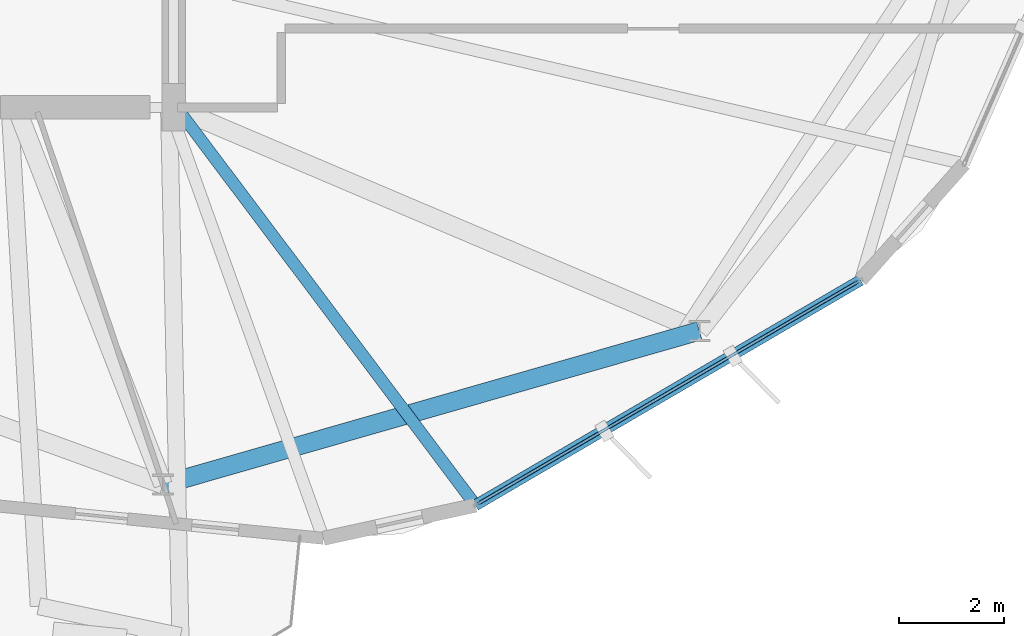
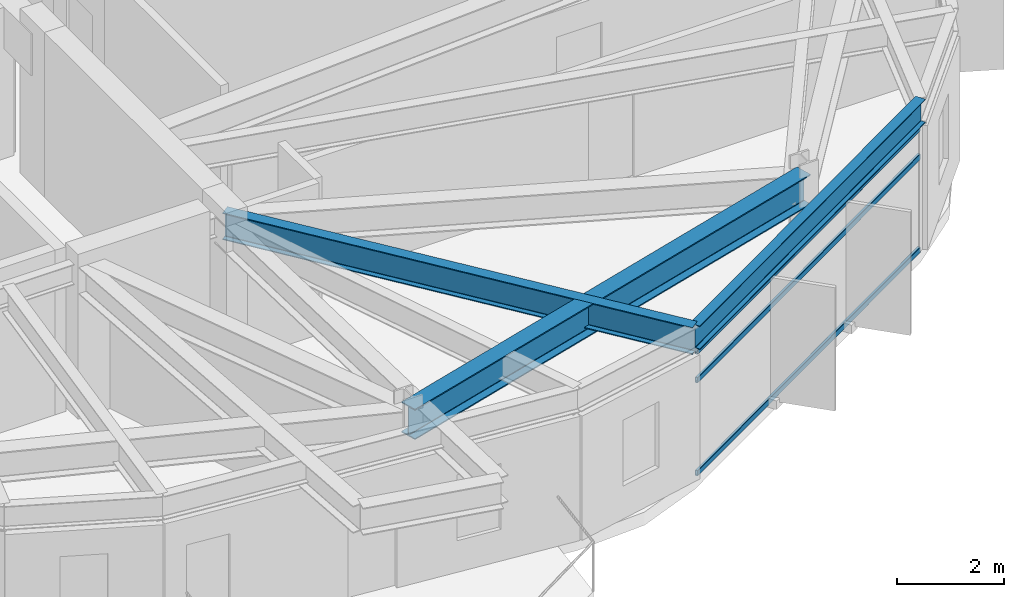
# One storey, part 6 of 25: 3 beams, 3 members, 1 element without a shape of its own.
"""IFC4 building model written with IfcOpenShell, lengths in metres."""

import ifcopenshell
import ifcopenshell.guid

model = None  # the IFC model being written
_history = None  # IfcOwnerHistory: only IFC2X3 demands one
_inside = {}  # id of a spatial element -> (the spatial element, [elements in it])
_under = {}  # id of a project, library or spatial element -> (it, [spatial elements below it])
_declared = {}  # id of a project -> (the project, [libraries it declares])
_typed = {}  # id of a type object -> (the type object, [elements of that type])
_made_of = {}  # id of a material, layer set ... -> (it, [elements and type objects made of it])


def new_model(schema):
    """Start an empty IFC model of exactly this schema.

    Asked for "IFC4X3", IfcOpenShell would pick the latest addendum, in which some entities
    have other attributes; the version numbers below select the first issue.
    IFC2X3 requires an IfcOwnerHistory on every rooted entity: one is made here for all.
    """
    global model, _history
    if schema == "IFC4X3":
        model = ifcopenshell.file(schema_version=(4, 3, 0, 0))
    else:
        model = ifcopenshell.file(schema=schema)
    _inside.clear()
    _under.clear()
    _declared.clear()
    _typed.clear()
    _made_of.clear()
    _history = None
    if model.schema == "IFC2X3":
        org = make("IfcOrganization", Name="unknown")
        user = make(
            "IfcPersonAndOrganization",
            ThePerson=make("IfcPerson", FamilyName="unknown"),
            TheOrganization=org,
        )
        app = make(
            "IfcApplication",
            ApplicationDeveloper=org,
            Version="unknown",
            ApplicationFullName="unknown",
            ApplicationIdentifier="unknown",
        )
        _history = make(
            "IfcOwnerHistory",
            OwningUser=user,
            OwningApplication=app,
            ChangeAction="ADDED",
            CreationDate=0,
        )
    return model


def make(cls, **values):
    """One entity of the class cls with the attributes given. An attribute that is None is left unset."""
    return model.create_entity(
        cls, **{name: value for name, value in values.items() if value is not None}
    )


def rooted(cls, **values):
    """An entity with a GlobalId (a new one), such as an element, a storey or a relation."""
    return make(cls, GlobalId=ifcopenshell.guid.new(), OwnerHistory=_history, **values)


def si_unit(unit_type, name, prefix=None):
    """IfcSIUnit, for example si_unit("LENGTHUNIT", "METRE", prefix="MILLI")."""
    return make("IfcSIUnit", UnitType=unit_type, Prefix=prefix, Name=name)


def assignment(units):
    """IfcUnitAssignment: the units of a project."""
    return None if units is None else make("IfcUnitAssignment", Units=units)


def point(xyz):
    """IfcCartesianPoint."""
    return None if xyz is None else make("IfcCartesianPoint", Coordinates=xyz)


def direction(xyz):
    """IfcDirection."""
    return None if xyz is None else make("IfcDirection", DirectionRatios=xyz)


def frame(location, z_axis=None, x_axis=None):
    """IfcAxis2Placement3D, a coordinate frame: its origin and axes. An axis left out is left unset."""
    return make(
        "IfcAxis2Placement3D",
        Location=point(location),
        Axis=direction(z_axis),
        RefDirection=direction(x_axis),
    )


def frame_2d(location, x_axis=None):
    """IfcAxis2Placement2D, a coordinate frame in the plane: its origin and x axis."""
    return make(
        "IfcAxis2Placement2D", Location=point(location), RefDirection=direction(x_axis)
    )


def origin():
    """The frame at (0, 0, 0) with its axes left unset."""
    return frame((0.0, 0.0, 0.0))


def origin_2d():
    """The frame at (0, 0) in the plane with its x axis left unset."""
    return frame_2d((0.0, 0.0))


def place(relative_to, where):
    """IfcLocalPlacement: puts the frame where relative to a parent placement (None: the world)."""
    return make(
        "IfcLocalPlacement", PlacementRelTo=relative_to, RelativePlacement=where
    )


def context(
    kind, dimensions, precision=None, world=None, true_north=None, identifier=None
):
    """IfcGeometricRepresentationContext, for example the 3D "Model" context."""
    return make(
        "IfcGeometricRepresentationContext",
        ContextIdentifier=identifier,
        ContextType=kind,
        CoordinateSpaceDimension=dimensions,
        Precision=precision,
        WorldCoordinateSystem=world,
        TrueNorth=true_north,
    )


def subcontext(parent, identifier, kind, view, scale=None):
    """IfcGeometricRepresentationSubContext, for example "Body" below "Model"."""
    return make(
        "IfcGeometricRepresentationSubContext",
        ContextIdentifier=identifier,
        ContextType=kind,
        ParentContext=parent,
        TargetScale=scale,
        TargetView=view,
    )


def project(units=None, contexts=None):
    """IfcProject with its units and contexts."""
    return rooted(
        "IfcProject",
        Name="project",
        RepresentationContexts=contexts,
        UnitsInContext=assignment(units),
    )


def spatial(cls, under=None, at=None, **own):
    """A site, building, storey or space (cls), placed at a placement, below another one or the project."""
    s = rooted(cls, ObjectPlacement=at, **own)
    if under is not None:
        _under.setdefault(under.id(), (under, []))[1].append(s)
    return s


def profile(cls, at=None, kind="AREA", **sizes):
    """A parametric profile (cls). Its sizes go by their IFC names, for example OverallWidth=200.0."""
    return make(cls, ProfileType=kind, Position=at, **sizes)


def hollow_rectangle(**sizes):
    """IfcRectangleHollowProfileDef."""
    return profile("IfcRectangleHollowProfileDef", **sizes)


def i_section(**sizes):
    """IfcIShapeProfileDef."""
    return profile("IfcIShapeProfileDef", **sizes)


def extrude(swept, where, along, depth):
    """IfcExtrudedAreaSolid: the profile swept, set in the frame where, extruded along a direction by depth."""
    return make(
        "IfcExtrudedAreaSolid",
        SweptArea=swept,
        Position=where,
        ExtrudedDirection=direction(along),
        Depth=depth,
    )


def shape(context_of_items, identifier, shape_type, items):
    """IfcShapeRepresentation: the items that make up one representation, for example the "Body"."""
    return make(
        "IfcShapeRepresentation",
        ContextOfItems=context_of_items,
        RepresentationIdentifier=identifier,
        RepresentationType=shape_type,
        Items=items,
    )


def material(Name=None, Category=None):
    """IfcMaterial."""
    return make("IfcMaterial", Name=Name, Category=Category)


def layer(
    of_material, thickness, ventilated=None, Name=None, Category=None, Priority=None
):
    """IfcMaterialLayer: one layer of a wall or slab, of a material (None: an air gap)."""
    return make(
        "IfcMaterialLayer",
        Material=of_material,
        LayerThickness=thickness,
        IsVentilated=ventilated,
        Name=Name,
        Category=Category,
        Priority=Priority,
    )


def layer_set(layers, Name=None):
    """IfcMaterialLayerSet."""
    return make("IfcMaterialLayerSet", MaterialLayers=layers, LayerSetName=Name)


def material_profile(
    of_material, cross_section, Name=None, Category=None, Priority=None
):
    """IfcMaterialProfile: a cross section and its material."""
    return make(
        "IfcMaterialProfile",
        Name=Name,
        Material=of_material,
        Profile=cross_section,
        Priority=Priority,
        Category=Category,
    )


def profile_set(profiles, Name=None, composite=None):
    """IfcMaterialProfileSet."""
    return make(
        "IfcMaterialProfileSet",
        Name=Name,
        MaterialProfiles=profiles,
        CompositeProfile=composite,
    )


def made_of(thing, what):
    """Note that an element or type object is made of a material, layer set ...; save() writes the relation."""
    if what is not None:
        _made_of.setdefault(what.id(), (what, []))[1].append(thing)
    return thing


def type_object(cls, material=None, **own):
    """A type object (cls), such as IfcWallType, which elements share."""
    return made_of(rooted(cls, **own), material)


def element(
    cls,
    number,
    at=None,
    inside=None,
    cuts=None,
    type_object=None,
    material=None,
    context=None,
    identifier="Body",
    shape_type=None,
    held_by="IfcProductDefinitionShape",
    body=None,
    shapes=None,
    **own,
):
    """One element of the class cls, such as IfcWall. Its Tag is "e" and its number.

    at: its placement. inside: the storey or other place that contains it. cuts: it is an
    opening in that element (IfcRelVoidsElement). A single representation is given by context,
    identifier, shape_type and body (its items); several are given by shapes. held_by: the class
    of the entity that holds the representations. save() writes the other relations.
    """
    e = rooted(cls, Tag="e%d" % number, ObjectPlacement=at, **own)
    if body is not None:
        shapes = [shape(context, identifier, shape_type, body)]
    if shapes is not None:
        e.Representation = make(held_by, Representations=shapes)
    if inside is not None:
        _inside.setdefault(inside.id(), (inside, []))[1].append(e)
    if cuts is not None:
        rooted(
            "IfcRelVoidsElement", RelatingBuildingElement=cuts, RelatedOpeningElement=e
        )
    if type_object is not None:
        _typed.setdefault(type_object.id(), (type_object, []))[1].append(e)
    return made_of(e, material)


def aggregate(whole, parts):
    """IfcRelAggregates: a whole, such as a stair, and the parts it consists of."""
    return rooted("IfcRelAggregates", RelatingObject=whole, RelatedObjects=parts)


def save(model, path):
    """Write the relations noted so far, then the file.

    IfcRelAggregates (storeys below a building ...), IfcRelContainedInSpatialStructure (elements
    in a storey), IfcRelDefinesByType, IfcRelAssociatesMaterial and IfcRelDeclares: one each for
    every whole, place, type object, material and project.
    """
    for whole, parts in _under.values():
        aggregate(whole, parts)
    for where, things in _inside.values():
        rooted(
            "IfcRelContainedInSpatialStructure",
            RelatedElements=things,
            RelatingStructure=where,
        )
    for kind, things in _typed.values():
        rooted("IfcRelDefinesByType", RelatedObjects=things, RelatingType=kind)
    for what, things in _made_of.values():
        rooted("IfcRelAssociatesMaterial", RelatedObjects=things, RelatingMaterial=what)
    for by, libraries in _declared.values():
        rooted("IfcRelDeclares", RelatingContext=by, RelatedDefinitions=libraries)
    model.write(path)


model = new_model("IFC4")

# Units and contexts
model_context = context("Model", 3, precision=1e-05, world=origin(), true_north=direction((0.0, 1.0)))
body_context = subcontext(model_context, "Body", "Model", "MODEL_VIEW")
ifc_project = project(units=[si_unit("LENGTHUNIT", "METRE"), si_unit("AREAUNIT", "SQUARE_METRE"), si_unit("VOLUMEUNIT", "CUBIC_METRE"), si_unit("PLANEANGLEUNIT", "RADIAN"), si_unit("MASSUNIT", "GRAM", prefix="KILO")], contexts=[model_context])

# Site, building, storey
site_placement = place(None, origin())
site = spatial("IfcSite", under=ifc_project, at=site_placement, CompositionType="ELEMENT")
building_placement = place(site_placement, origin())
building = spatial("IfcBuilding", under=site, at=building_placement, Name="Soratama Intermodal Tower", CompositionType="ELEMENT")
storey_placement = place(building_placement, frame((0.0, 0.0, 276.25)))
storey = spatial("IfcBuildingStorey", under=building, at=storey_placement, Name="L70", CompositionType="ELEMENT", Elevation=276.25)

# Beams
ifc_material_1 = material(Name="Structural steel ASTM A992 Grade 50", Category="steel")
ifc_material_profile_1 = material_profile(ifc_material_1, i_section(OverallWidth=0.35498046875, OverallDepth=0.695068359375, WebThickness=0.015380859375, FlangeThickness=0.02490234375, FilletRadius=0.01611328125, at=origin_2d()), Name="W27X146")
ifc_profile_set_1 = profile_set([ifc_material_profile_1], Name="Structural steel ASTM A992 Grade 50")
beam_type_1 = type_object("IfcBeamType", Name="BM-RING-W27X146", PredefinedType="BEAM", material=ifc_profile_set_1)
beam_1_placement = place(storey_placement, frame((44.39990234375, 7.81103515625, 3.1025390625), z_axis=(0.961262636932, 0.27563407416, 0.0), x_axis=(-0.27563407416, 0.961262636932, 0.0)))
element("IfcBeam", 1, at=beam_1_placement, inside=storey, type_object=beam_type_1, Name="BM-L70-RING-08", PredefinedType="BEAM", context=body_context, shape_type="SweptSolid", body=[
    extrude(i_section(OverallWidth=0.35498046875, OverallDepth=0.695068359375, WebThickness=0.015380859375, FlangeThickness=0.02490234375, FilletRadius=0.01611328125, at=origin_2d()), origin(), (0.0, 0.0, 1.0), 10.6298828125),
])
ifc_material_2 = material(Name="Structural steel ASTM A992 Grade 50", Category="steel")
ifc_material_profile_2 = material_profile(ifc_material_2, i_section(OverallWidth=0.2099609375, OverallDepth=0.537109375, WebThickness=0.010986328125, FlangeThickness=0.017333984375, FilletRadius=0.012939453125, at=origin_2d()), Name="W21X68")
ifc_profile_set_2 = profile_set([ifc_material_profile_2], Name="Structural steel ASTM A992 Grade 50")
beam_type_2 = type_object("IfcBeamType", Name="BM-SPN-W21X68", PredefinedType="SPANDREL", material=ifc_profile_set_2)
beam_2_placement = place(storey_placement, frame((50.35205078125, 7.41796875, 3.181396484375), z_axis=(0.863336840206, 0.504628081207, 0.0), x_axis=(-0.504628081207, 0.863336840206, 0.0)))
element("IfcBeam", 2, at=beam_2_placement, inside=storey, type_object=beam_type_2, Name="BS-L70-F07", PredefinedType="SPANDREL", context=body_context, shape_type="SweptSolid", body=[
    extrude(i_section(OverallWidth=0.2099609375, OverallDepth=0.537109375, WebThickness=0.010986328125, FlangeThickness=0.017333984375, FilletRadius=0.012939453125, at=origin_2d()), origin(), (0.0, 0.0, 1.0), 8.49951171875),
])
ifc_material_3 = material(Name="Structural steel ASTM A992 Grade 50", Category="steel")
ifc_material_profile_3 = material_profile(ifc_material_3, i_section(OverallWidth=0.22900390625, OverallDepth=0.612060546875, WebThickness=0.011962890625, FlangeThickness=0.01953125, FilletRadius=0.012939453125, at=origin_2d()), Name="W24X84")
ifc_profile_set_3 = profile_set([ifc_material_profile_3], Name="Structural steel ASTM A992 Grade 50")
beam_type_3 = type_object("IfcBeamType", Name="BM-TIE-W24X84", PredefinedType="BEAM", material=ifc_profile_set_3)
beam_3_placement = place(storey_placement, frame((44.6240234375, 15.0390625, 3.14404296875), z_axis=(0.600819147024, -0.799384983953, 0.0), x_axis=(0.799384983953, 0.600819147024, 0.0)))
element("IfcBeam", 3, at=beam_3_placement, inside=storey, type_object=beam_type_3, Name="BM-L70-TIE0-07", PredefinedType="BEAM", context=body_context, shape_type="SweptSolid", body=[
    extrude(i_section(OverallWidth=0.22900390625, OverallDepth=0.612060546875, WebThickness=0.011962890625, FlangeThickness=0.01953125, FilletRadius=0.012939453125, at=origin_2d()), origin(), (0.0, 0.0, 1.0), 9.53369140625),
])

# Curtain wall, members
ifc_material_4 = material(Name="Double-glazed aluminium curtain wall", Category="aluminium")
ifc_layer = layer(ifc_material_4, 0.159912109375)
ifc_layer_set = layer_set([ifc_layer], Name="Double-glazed aluminium curtain wall")
curtain_wall_type = type_object("IfcCurtainWallType", Name="CW-SYS-5", PredefinedType="NOTDEFINED", material=ifc_layer_set)
curtain_wall_placement = place(storey_placement, origin())
curtain_wall = element("IfcCurtainWall", 4, at=curtain_wall_placement, inside=storey, type_object=curtain_wall_type, Name="L70 Faceted Curtain Wall F07", PredefinedType="NOTDEFINED")
ifc_material_5 = material(Name="Anodised aluminium AA 6063-T6", Category="aluminium")
ifc_material_profile_4 = material_profile(ifc_material_5, hollow_rectangle(XDim=0.06005859375, YDim=0.1298828125, WallThickness=0.0048828125, InnerFilletRadius=0.0048828125, OuterFilletRadius=0.010009765625, at=origin_2d()), Name="CWT130X60X5")
ifc_profile_set_4 = profile_set([ifc_material_profile_4], Name="Anodised aluminium AA 6063-T6")
member_type = type_object("IfcMemberType", Name="TT-CWT-2", PredefinedType="USERDEFINED", material=ifc_profile_set_4)
member_1_placement = place(storey_placement, frame((50.4033203125, 7.44873046875, 0.030029296875), z_axis=(0.863399304475, 0.504521199784, 0.0), x_axis=(-0.504521199784, 0.863399304475, 0.0)))
member_1 = element("IfcMember", 5, at=member_1_placement, type_object=member_type, Name="CW-5 transom 1.1", ObjectType="TRANSOM", PredefinedType="USERDEFINED", context=body_context, shape_type="SweptSolid", body=[
    extrude(hollow_rectangle(XDim=0.06005859375, YDim=0.1298828125, WallThickness=0.0048828125, InnerFilletRadius=0.0048828125, OuterFilletRadius=0.010009765625, at=origin_2d()), origin(), (0.0, 0.0, 1.0), 8.3798828125),
])
member_2_placement = place(storey_placement, frame((50.4033203125, 7.44873046875, 2.14990234375), z_axis=(0.863399304475, 0.504521199784, 0.0), x_axis=(-0.504521199784, 0.863399304475, 0.0)))
member_2 = element("IfcMember", 6, at=member_2_placement, type_object=member_type, Name="CW-5 transom 1.2", ObjectType="TRANSOM", PredefinedType="USERDEFINED", context=body_context, shape_type="SweptSolid", body=[
    extrude(hollow_rectangle(XDim=0.06005859375, YDim=0.1298828125, WallThickness=0.0048828125, InnerFilletRadius=0.0048828125, OuterFilletRadius=0.010009765625, at=origin_2d()), origin(), (0.0, 0.0, 1.0), 8.3798828125),
])
member_3_placement = place(storey_placement, frame((50.4033203125, 7.44873046875, 2.799072265625), z_axis=(0.863399304475, 0.504521199784, 0.0), x_axis=(-0.504521199784, 0.863399304475, 0.0)))
member_3 = element("IfcMember", 7, at=member_3_placement, type_object=member_type, Name="CW-5 transom 1.3", ObjectType="TRANSOM", PredefinedType="USERDEFINED", context=body_context, shape_type="SweptSolid", body=[
    extrude(hollow_rectangle(XDim=0.06005859375, YDim=0.1298828125, WallThickness=0.0048828125, InnerFilletRadius=0.0048828125, OuterFilletRadius=0.010009765625, at=origin_2d()), origin(), (0.0, 0.0, 1.0), 8.3798828125),
])
aggregate(curtain_wall, [member_1, member_2, member_3])

save(model, "model.ifc")
